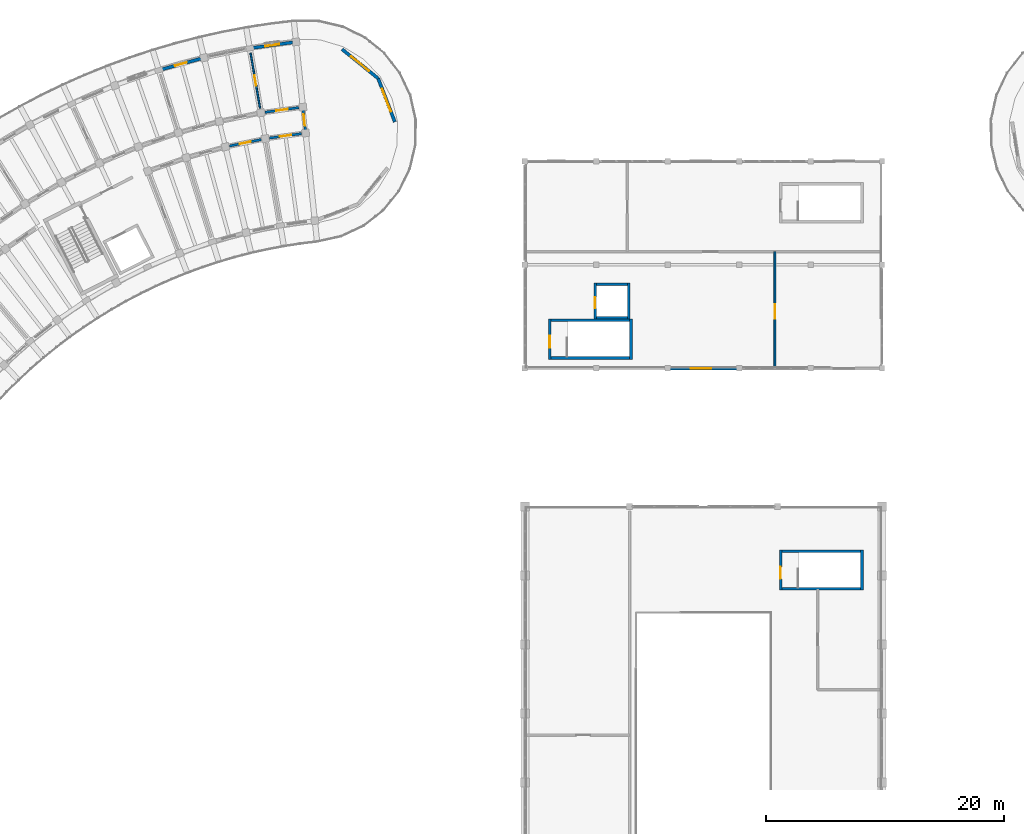
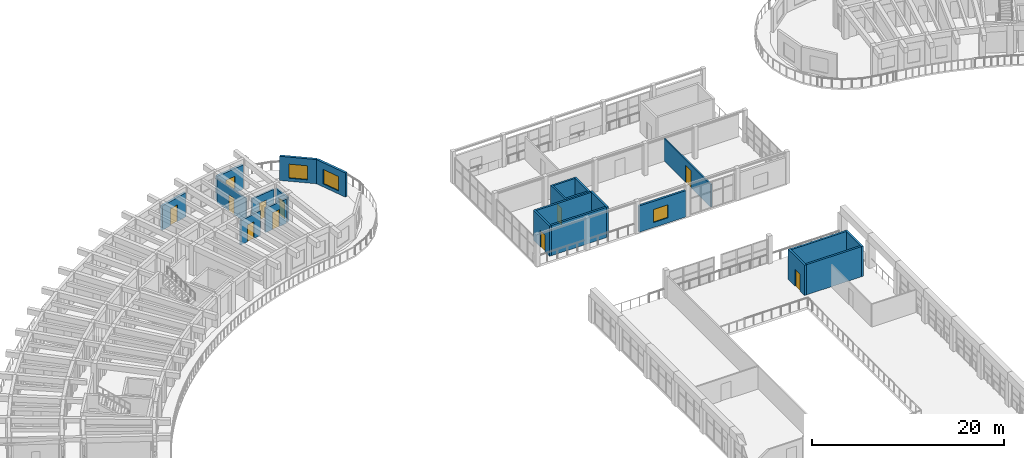
# One storey, part 91 of 128: 23 walls, 10 doors, 4 windows, 14 openings.
"""IFC4 building model written with IfcOpenShell, lengths in metres."""

from ifc_helpers import new_model, si_unit, direction, frame, frame_2d, origin, place, context, subcontext, project, spatial, rectangle, extrude, material, layer, layer_set, type_object, element, fill, save


model = new_model("IFC4")

# Units and contexts
model_context = context("Model", 3, precision=1e-05, world=origin(), true_north=direction((0.0, 1.0)))
body_context = subcontext(model_context, "Body", "Model", "MODEL_VIEW")
ifc_project = project(units=[si_unit("LENGTHUNIT", "METRE"), si_unit("AREAUNIT", "SQUARE_METRE"), si_unit("VOLUMEUNIT", "CUBIC_METRE"), si_unit("PLANEANGLEUNIT", "RADIAN"), si_unit("MASSUNIT", "GRAM", prefix="KILO")], contexts=[model_context])

# Site, building, storey
site_placement = place(None, origin())
site = spatial("IfcSite", under=ifc_project, at=site_placement, CompositionType="ELEMENT")
building_placement = place(site_placement, origin())
building = spatial("IfcBuilding", under=site, at=building_placement, Name="Tanwirah Colonnade Gardens", CompositionType="ELEMENT")
storey_placement = place(building_placement, frame((0.0, 0.0, 4.760009765625)))
storey = spatial("IfcBuildingStorey", under=building, at=storey_placement, Name="L01", CompositionType="ELEMENT", Elevation=4.760009765625)

# Wall, opening, window
ifc_material_1 = material(Name="Limestone architectural precast concrete C40/50", Category="masonry")
ifc_layer_1 = layer(ifc_material_1, 0.239990234375)
ifc_layer_set_1 = layer_set([ifc_layer_1], Name="Limestone architectural precast concrete C40/50")
wall_type_1 = type_object("IfcWallType", Name="EW-PC240", PredefinedType="SOLIDWALL", material=ifc_layer_set_1)
wall_1_placement = place(storey_placement, frame((90.195068359375, 92.0, 0.0), z_axis=(0.0, 0.0, 1.0), x_axis=(1.0, 0.0, 0.0)))
wall_1 = element("IfcWall", 1, at=wall_1_placement, inside=storey, type_object=wall_type_1, Name="Nursery L01 S Wall 2", PredefinedType="SOLIDWALL", context=body_context, shape_type="SweptSolid", body=[
    extrude(rectangle(XDim=5.60986328125, YDim=0.239990234375, at=frame_2d((2.804931640625, 0.0))), origin(), (0.0, 0.0, 1.0), 3.340087890625),
])
opening_1_placement = place(wall_1_placement, frame((1.75, 0.0, 0.64990234375)))
opening_1 = element("IfcOpeningElement", 2, at=opening_1_placement, cuts=wall_1, Name="Opening WIN-NUR2", PredefinedType="OPENING", context=body_context, shape_type="SweptSolid", body=[
    extrude(rectangle(XDim=1.719970703125, YDim=1.639892578125, at=frame_2d((0.85986328125, 0.81982421875))), frame((0.0, 0.1298828125, 0.0), z_axis=(0.0, -1.0, 0.0), x_axis=(1.0, 0.0, 0.0)), (0.0, 0.0, 1.0), 0.260009765625),
])
ifc_material_2 = material(Name="Thermally broken bronze aluminium and solar low-E double glazing", Category="aluminium")
window_type_1 = type_object("IfcWindowType", Name="WIN-NUR2", PartitioningType="DOUBLE_PANEL_VERTICAL", PredefinedType="WINDOW", material=ifc_material_2)
window_1_placement = place(opening_1_placement, origin())
window_1 = element("IfcWindow", 3, at=window_1_placement, inside=storey, type_object=window_type_1, Name="Nursery Window S-2", OverallHeight=1.639892578125, OverallWidth=1.719970703125, PartitioningType="SINGLE_PANEL", PredefinedType="WINDOW", context=body_context, shape_type="SweptSolid", body=[
    extrude(rectangle(XDim=1.719970703125, YDim=1.639892578125, at=frame_2d((0.85986328125, 0.81982421875))), frame((0.0, 0.030029296875, 0.0), z_axis=(0.0, -1.0, 0.0), x_axis=(1.0, 0.0, 0.0)), (0.0, 0.0, 1.0), 0.06005859375),
])
fill(opening_1, window_1)

ifc_layer_2 = layer(ifc_material_1, 0.27001953125)
ifc_layer_set_2 = layer_set([ifc_layer_2], Name="Limestone architectural precast concrete C40/50")
wall_type_2 = type_object("IfcWallType", Name="EW-PC270", PredefinedType="SOLIDWALL", material=ifc_layer_set_2)
wall_2_placement = place(storey_placement, frame((58.498046875, 119.38525390625, 0.0), z_axis=(0.0, 0.0, 1.0), x_axis=(-0.990539409892, -0.137228559169, 0.0)))
wall_2 = element("IfcWall", 4, at=wall_2_placement, inside=storey, type_object=wall_type_2, Name="Block A L01 OUT Precast Facade Wall 0", PredefinedType="SOLIDWALL", context=body_context, shape_type="SweptSolid", body=[
    extrude(rectangle(XDim=3.465576171875, YDim=0.27001953125, at=frame_2d((1.73291015625, 0.0))), origin(), (0.0, 0.0, 1.0), 3.074951171875),
])
opening_2_placement = place(wall_2_placement, frame((1.1328125, 0.0, 0.550048828125)))
opening_2 = element("IfcOpeningElement", 5, at=opening_2_placement, cuts=wall_2, Name="Opening WIN-T02", PredefinedType="OPENING", context=body_context, shape_type="SweptSolid", body=[
    extrude(rectangle(XDim=1.199951171875, YDim=1.550048828125, at=frame_2d((0.60009765625, 0.77490234375))), frame((0.0, 0.14501953125, 0.0), z_axis=(0.0, -1.0, 0.0), x_axis=(1.0, 0.0, 0.0)), (0.0, 0.0, 1.0), 0.2900390625),
])
window_type_2 = type_object("IfcWindowType", Name="WIN-T02", PartitioningType="SINGLE_PANEL", PredefinedType="WINDOW", material=ifc_material_2)
window_2_placement = place(opening_2_placement, origin())
window_2 = element("IfcWindow", 6, at=window_2_placement, inside=storey, type_object=window_type_2, Name="Facade window A-L01-OUT-00", OverallHeight=1.550048828125, OverallWidth=1.199951171875, PartitioningType="SINGLE_PANEL", PredefinedType="WINDOW", context=body_context, shape_type="SweptSolid", body=[
    extrude(rectangle(XDim=1.199951171875, YDim=1.550048828125, at=frame_2d((0.60009765625, 0.77490234375))), frame((0.0, 0.030029296875, 0.0), z_axis=(0.0, -1.0, 0.0), x_axis=(1.0, 0.0, 0.0)), (0.0, 0.0, 1.0), 0.06005859375),
])
fill(opening_2, window_2)

# Wall, opening, door
wall_3_placement = place(storey_placement, frame((50.772216796875, 118.0166015625, 0.0), z_axis=(0.0, 0.0, 1.0), x_axis=(-0.963895410198, -0.266281126255, 0.0)))
wall_3 = element("IfcWall", 7, at=wall_3_placement, inside=storey, type_object=wall_type_2, Name="Block A L01 OUT Precast Facade Wall 2", PredefinedType="SOLIDWALL", context=body_context, shape_type="SweptSolid", body=[
    extrude(rectangle(XDim=3.4658203125, YDim=0.27001953125, at=frame_2d((1.73291015625, 0.0))), origin(), (0.0, 0.0, 1.0), 3.074951171875),
])
opening_3_placement = place(wall_3_placement, frame((1.222900390625, 0.0, 0.0)))
opening_3 = element("IfcOpeningElement", 8, at=opening_3_placement, cuts=wall_3, Name="Opening L01-ED003", PredefinedType="OPENING", context=body_context, shape_type="SweptSolid", body=[
    extrude(rectangle(XDim=1.02001953125, YDim=2.139892578125, at=frame_2d((0.510009765625, 1.06982421875))), frame((0.0, 0.14501953125, 0.0), z_axis=(0.0, -1.0, 0.0), x_axis=(1.0, 0.0, 0.0)), (0.0, 0.0, 1.0), 0.2900390625),
])
ifc_material_3 = material(Name="Bronze aluminium glazed balcony door", Category="aluminium")
door_type_1 = type_object("IfcDoorType", Name="ED-BAL102", OperationType="NOTDEFINED", PredefinedType="DOOR", material=ifc_material_3)
door_1_placement = place(opening_3_placement, origin())
door_1 = element("IfcDoor", 9, at=door_1_placement, inside=storey, type_object=door_type_1, Name="Balcony glazed door L01-ED003", OperationType="SINGLE_SWING_RIGHT", OverallHeight=2.139892578125, OverallWidth=1.02001953125, PredefinedType="DOOR", context=body_context, shape_type="SweptSolid", body=[
    extrude(rectangle(XDim=1.02001953125, YDim=2.139892578125, at=frame_2d((0.510009765625, 1.06982421875))), frame((0.0, 0.02490234375, 0.0), z_axis=(0.0, -1.0, 0.0), x_axis=(1.0, 0.0, 0.0)), (0.0, 0.0, 1.0), 0.050048828125),
])
fill(opening_3, door_1)

# Wall, opening, window
wall_4_placement = place(storey_placement, frame((62.635498046875, 118.8125, 0.0), z_axis=(0.0, 0.0, 1.0), x_axis=(0.777137204109, -0.629331205321, 0.0)))
wall_4 = element("IfcWall", 10, at=wall_4_placement, inside=storey, type_object=wall_type_2, Name="Block A L01 START Rounded End Wall 1", PredefinedType="SOLIDWALL", context=body_context, shape_type="SweptSolid", body=[
    extrude(rectangle(XDim=3.907958984375, YDim=0.27001953125, at=frame_2d((1.9541015625, 0.0))), origin(), (0.0, 0.0, 1.0), 3.074951171875),
])
opening_4_placement = place(wall_4_placement, frame((0.97900390625, 0.0, 0.39990234375)))
opening_4 = element("IfcOpeningElement", 11, at=opening_4_placement, cuts=wall_4, Name="Opening WIN-END2", PredefinedType="OPENING", context=body_context, shape_type="SweptSolid", body=[
    extrude(rectangle(XDim=1.949951171875, YDim=1.780029296875, at=frame_2d((0.97509765625, 0.89013671875))), frame((0.0, 0.14501953125, 0.0), z_axis=(0.0, -1.0, 0.0), x_axis=(1.0, 0.0, 0.0)), (0.0, 0.0, 1.0), 0.2900390625),
])
window_type_3 = type_object("IfcWindowType", Name="WIN-END2", PartitioningType="TRIPLE_PANEL_VERTICAL", PredefinedType="WINDOW", material=ifc_material_2)
window_3_placement = place(opening_4_placement, origin())
window_3 = element("IfcWindow", 12, at=window_3_placement, inside=storey, type_object=window_type_3, Name="Rounded corner window A-L01-START-1", OverallHeight=1.780029296875, OverallWidth=1.949951171875, PartitioningType="SINGLE_PANEL", PredefinedType="WINDOW", context=body_context, shape_type="SweptSolid", body=[
    extrude(rectangle(XDim=1.949951171875, YDim=1.780029296875, at=frame_2d((0.97509765625, 0.89013671875))), frame((0.0, 0.030029296875, 0.0), z_axis=(0.0, -1.0, 0.0), x_axis=(1.0, 0.0, 0.0)), (0.0, 0.0, 1.0), 0.06005859375),
])
fill(opening_4, window_3)

wall_5_placement = place(storey_placement, frame((65.672607421875, 116.35302734375, 0.0), z_axis=(0.0, 0.0, 1.0), x_axis=(0.358376224971, -0.933577249817, 0.0)))
wall_5 = element("IfcWall", 13, at=wall_5_placement, inside=storey, type_object=wall_type_2, Name="Block A L01 START Rounded End Wall 2", PredefinedType="SOLIDWALL", context=body_context, shape_type="SweptSolid", body=[
    extrude(rectangle(XDim=3.908203125, YDim=0.27001953125, at=frame_2d((1.9541015625, 0.0))), origin(), (0.0, 0.0, 1.0), 3.074951171875),
])
opening_5_placement = place(wall_5_placement, frame((0.92919921875, 0.0, 0.39990234375)))
opening_5 = element("IfcOpeningElement", 14, at=opening_5_placement, cuts=wall_5, Name="Opening WIN-END3", PredefinedType="OPENING", context=body_context, shape_type="SweptSolid", body=[
    extrude(rectangle(XDim=2.050048828125, YDim=1.820068359375, at=frame_2d((1.02490234375, 0.91015625))), frame((0.0, 0.14501953125, 0.0), z_axis=(0.0, -1.0, 0.0), x_axis=(1.0, 0.0, 0.0)), (0.0, 0.0, 1.0), 0.2900390625),
])
window_type_4 = type_object("IfcWindowType", Name="WIN-END3", PartitioningType="TRIPLE_PANEL_VERTICAL", PredefinedType="WINDOW", material=ifc_material_2)
window_4_placement = place(opening_5_placement, origin())
window_4 = element("IfcWindow", 15, at=window_4_placement, inside=storey, type_object=window_type_4, Name="Rounded corner window A-L01-START-2", OverallHeight=1.820068359375, OverallWidth=2.050048828125, PartitioningType="SINGLE_PANEL", PredefinedType="WINDOW", context=body_context, shape_type="SweptSolid", body=[
    extrude(rectangle(XDim=2.050048828125, YDim=1.820068359375, at=frame_2d((1.02490234375, 0.91015625))), frame((0.0, 0.030029296875, 0.0), z_axis=(0.0, -1.0, 0.0), x_axis=(1.0, 0.0, 0.0)), (0.0, 0.0, 1.0), 0.06005859375),
])
fill(opening_5, window_4)

# Wall, opening, door
ifc_material_4 = material(Name="Precast concrete C40/50", Category="concrete")
ifc_layer_3 = layer(ifc_material_4, 0.205078125)
ifc_layer_set_3 = layer_set([ifc_layer_3], Name="Precast concrete C40/50")
wall_type_3 = type_object("IfcWallType", Name="IW-CORR205", PredefinedType="PARTITIONING", material=ifc_layer_set_3)
wall_6_placement = place(storey_placement, frame((59.003662109375, 113.90576171875, 0.0), z_axis=(0.0, 0.0, 1.0), x_axis=(-0.990544162976, -0.137194246211, 0.0)))
wall_6 = element("IfcWall", 16, at=wall_6_placement, inside=storey, type_object=wall_type_3, Name="Block A L01 OUT Corridor Wall 0", PredefinedType="PARTITIONING", context=body_context, shape_type="SweptSolid", body=[
    extrude(rectangle(XDim=2.86328125, YDim=0.205078125, at=frame_2d((1.431640625, 0.0))), origin(), (0.0, 0.0, 1.0), 3.090087890625),
])
opening_6_placement = place(wall_6_placement, frame((0.946533203125, 0.0, 0.0)))
opening_6 = element("IfcOpeningElement", 17, at=opening_6_placement, cuts=wall_6, Name="Opening L01-AD263", PredefinedType="OPENING", context=body_context, shape_type="SweptSolid", body=[
    extrude(rectangle(XDim=0.969970703125, YDim=2.14990234375, at=frame_2d((0.48486328125, 1.074951171875))), frame((0.0, 0.112548828125, 0.0), z_axis=(0.0, -1.0, 0.0), x_axis=(1.0, 0.0, 0.0)), (0.0, 0.0, 1.0), 0.22509765625),
])
ifc_material_5 = material(Name="Solid oak fire-resisting apartment entrance door")
door_type_2 = type_object("IfcDoorType", Name="ID-FLT097", OperationType="NOTDEFINED", PredefinedType="DOOR", material=ifc_material_5)
door_2_placement = place(opening_6_placement, origin())
door_2 = element("IfcDoor", 18, at=door_2_placement, inside=storey, type_object=door_type_2, Name="Apartment corridor door L01-AD263", OperationType="SINGLE_SWING_RIGHT", OverallHeight=2.14990234375, OverallWidth=0.969970703125, PredefinedType="DOOR", context=body_context, shape_type="SweptSolid", body=[
    extrude(rectangle(XDim=0.969970703125, YDim=2.14990234375, at=frame_2d((0.48486328125, 1.074951171875))), frame((0.0, 0.02490234375, 0.0), z_axis=(0.0, -1.0, 0.0), x_axis=(1.0, 0.0, 0.0)), (0.0, 0.0, 1.0), 0.050048828125),
])
fill(opening_6, door_2)

wall_7_placement = place(storey_placement, frame((59.2333984375, 111.718017578125, 0.0), z_axis=(0.0, 0.0, 1.0), x_axis=(-0.990535404475, -0.137257467855, 0.0)))
wall_7 = element("IfcWall", 19, at=wall_7_placement, inside=storey, type_object=wall_type_3, Name="Block A L01 IN Corridor Wall 0", PredefinedType="PARTITIONING", context=body_context, shape_type="SweptSolid", body=[
    extrude(rectangle(XDim=2.7177734375, YDim=0.205078125, at=frame_2d((1.35888671875, 0.0))), origin(), (0.0, 0.0, 1.0), 3.090087890625),
])
opening_7_placement = place(wall_7_placement, frame((0.8740234375, 0.0, 0.0)))
opening_7 = element("IfcOpeningElement", 20, at=opening_7_placement, cuts=wall_7, Name="Opening L01-AD264", PredefinedType="OPENING", context=body_context, shape_type="SweptSolid", body=[
    extrude(rectangle(XDim=0.969970703125, YDim=2.14990234375, at=frame_2d((0.48486328125, 1.074951171875))), frame((0.0, 0.112548828125, 0.0), z_axis=(0.0, -1.0, 0.0), x_axis=(1.0, 0.0, 0.0)), (0.0, 0.0, 1.0), 0.22509765625),
])
door_3_placement = place(opening_7_placement, origin())
door_3 = element("IfcDoor", 21, at=door_3_placement, inside=storey, type_object=door_type_2, Name="Apartment corridor door L01-AD264", OperationType="SINGLE_SWING_LEFT", OverallHeight=2.14990234375, OverallWidth=0.969970703125, PredefinedType="DOOR", context=body_context, shape_type="SweptSolid", body=[
    extrude(rectangle(XDim=0.969970703125, YDim=2.14990234375, at=frame_2d((0.48486328125, 1.074951171875))), frame((0.0, 0.02490234375, 0.0), z_axis=(0.0, -1.0, 0.0), x_axis=(1.0, 0.0, 0.0)), (0.0, 0.0, 1.0), 0.050048828125),
])
fill(opening_7, door_3)

wall_8_placement = place(storey_placement, frame((55.851806640625, 111.22607421875, 0.0), z_axis=(0.0, 0.0, 1.0), x_axis=(-0.979349423541, -0.202174940608, 0.0)))
wall_8 = element("IfcWall", 22, at=wall_8_placement, inside=storey, type_object=wall_type_3, Name="Block A L01 IN Corridor Wall 1", PredefinedType="PARTITIONING", context=body_context, shape_type="SweptSolid", body=[
    extrude(rectangle(XDim=2.71826171875, YDim=0.205078125, at=frame_2d((1.359130859375, 0.0))), origin(), (0.0, 0.0, 1.0), 3.090087890625),
])
opening_8_placement = place(wall_8_placement, frame((0.884033203125, 0.0, 0.0)))
opening_8 = element("IfcOpeningElement", 23, at=opening_8_placement, cuts=wall_8, Name="Opening L01-AD267", PredefinedType="OPENING", context=body_context, shape_type="SweptSolid", body=[
    extrude(rectangle(XDim=0.949951171875, YDim=2.1298828125, at=frame_2d((0.47509765625, 1.06494140625))), frame((0.0, 0.112548828125, 0.0), z_axis=(0.0, -1.0, 0.0), x_axis=(1.0, 0.0, 0.0)), (0.0, 0.0, 1.0), 0.22509765625),
])
door_type_3 = type_object("IfcDoorType", Name="ID-FLT095", OperationType="NOTDEFINED", PredefinedType="DOOR", material=ifc_material_5)
door_4_placement = place(opening_8_placement, origin())
door_4 = element("IfcDoor", 24, at=door_4_placement, inside=storey, type_object=door_type_3, Name="Apartment corridor door L01-AD267", OperationType="SINGLE_SWING_RIGHT", OverallHeight=2.1298828125, OverallWidth=0.949951171875, PredefinedType="DOOR", context=body_context, shape_type="SweptSolid", body=[
    extrude(rectangle(XDim=0.949951171875, YDim=2.1298828125, at=frame_2d((0.47509765625, 1.06494140625))), frame((0.0, 0.02490234375, 0.0), z_axis=(0.0, -1.0, 0.0), x_axis=(1.0, 0.0, 0.0)), (0.0, 0.0, 1.0), 0.050048828125),
])
fill(opening_8, door_4)

wall_9_placement = place(storey_placement, frame((59.574951171875, 111.815673828125, 0.0), z_axis=(0.0, 0.0, 1.0), x_axis=(-0.104509292252, 0.994523910136, 0.0)))
wall_9 = element("IfcWall", 25, at=wall_9_placement, inside=storey, type_object=wall_type_3, Name="Block A L01 CS Corner Suite Corridor Wall", PredefinedType="PARTITIONING", context=body_context, shape_type="SweptSolid", body=[
    extrude(rectangle(XDim=2.10009765625, YDim=0.205078125, at=frame_2d((1.050048828125, 0.0))), origin(), (0.0, 0.0, 1.0), 3.090087890625),
])
opening_9_placement = place(wall_9_placement, frame((0.570068359375, 0.0, 0.0)))
opening_9 = element("IfcOpeningElement", 26, at=opening_9_placement, cuts=wall_9, Name="Opening L01-CD303", PredefinedType="OPENING", context=body_context, shape_type="SweptSolid", body=[
    extrude(rectangle(XDim=0.949951171875, YDim=2.1298828125, at=frame_2d((0.47509765625, 1.06494140625))), frame((0.0, 0.112548828125, 0.0), z_axis=(0.0, -1.0, 0.0), x_axis=(1.0, 0.0, 0.0)), (0.0, 0.0, 1.0), 0.22509765625),
])
door_5_placement = place(opening_9_placement, origin())
door_5 = element("IfcDoor", 27, at=door_5_placement, inside=storey, type_object=door_type_3, Name="Corner suite entrance door L01-CD303", OperationType="SINGLE_SWING_LEFT", OverallHeight=2.1298828125, OverallWidth=0.949951171875, PredefinedType="DOOR", context=body_context, shape_type="SweptSolid", body=[
    extrude(rectangle(XDim=0.949951171875, YDim=2.1298828125, at=frame_2d((0.47509765625, 1.06494140625))), frame((0.0, 0.02490234375, 0.0), z_axis=(0.0, -1.0, 0.0), x_axis=(1.0, 0.0, 0.0)), (0.0, 0.0, 1.0), 0.050048828125),
])
fill(opening_9, door_5)

ifc_material_6 = material(Name="Fire-rated acoustic blockwork partition", Category="masonry")
ifc_layer_4 = layer(ifc_material_6, 0.159912109375)
ifc_layer_set_4 = layer_set([ifc_layer_4], Name="Fire-rated acoustic blockwork partition")
wall_type_4 = type_object("IfcWallType", Name="IW-PAV160", PredefinedType="PARTITIONING", material=ifc_layer_set_4)
wall_10_placement = place(storey_placement, frame((99.0, 92.1201171875, 0.0), z_axis=(0.0, 0.0, 1.0), x_axis=(0.0, 1.0, 0.0)))
wall_10 = element("IfcWall", 28, at=wall_10_placement, inside=storey, type_object=wall_type_4, Name="Interior Partition IW-NUR-CL2", PredefinedType="PARTITIONING", context=body_context, shape_type="SweptSolid", body=[
    extrude(rectangle(XDim=9.679931640625, YDim=0.159912109375, at=frame_2d((4.83984375, 0.0))), origin(), (0.0, 0.0, 1.0), 2.860107421875),
])
opening_10_placement = place(wall_10_placement, frame((4.04638671875, 0.0, 0.0)))
opening_10 = element("IfcOpeningElement", 29, at=opening_10_placement, cuts=wall_10, Name="Opening L01-VD1965", PredefinedType="OPENING", context=body_context, shape_type="SweptSolid", body=[
    extrude(rectangle(XDim=1.199951171875, YDim=2.14990234375, at=frame_2d((0.60009765625, 1.074951171875))), frame((0.0, 0.08984375, 0.0), z_axis=(0.0, -1.0, 0.0), x_axis=(1.0, 0.0, 0.0)), (0.0, 0.0, 1.0), 0.179931640625),
])
ifc_material_7 = material(Name="Acoustic classroom vision-panel door")
door_type_4 = type_object("IfcDoorType", Name="ID-NUR12", OperationType="NOTDEFINED", PredefinedType="DOOR", material=ifc_material_7)
door_6_placement = place(opening_10_placement, origin())
door_6 = element("IfcDoor", 30, at=door_6_placement, inside=storey, type_object=door_type_4, Name="Civic interior door L01-VD1965", OperationType="SINGLE_SWING_LEFT", OverallHeight=2.14990234375, OverallWidth=1.199951171875, PredefinedType="DOOR", context=body_context, shape_type="SweptSolid", body=[
    extrude(rectangle(XDim=1.199951171875, YDim=2.14990234375, at=frame_2d((0.60009765625, 1.074951171875))), frame((0.0, 0.02490234375, 0.0), z_axis=(0.0, -1.0, 0.0), x_axis=(1.0, 0.0, 0.0)), (0.0, 0.0, 1.0), 0.050048828125),
])
fill(opening_10, door_6)

ifc_material_8 = material(Name="Water-resistant acoustic plumbing partition")
ifc_layer_5 = layer(ifc_material_8, 0.139892578125)
ifc_layer_set_5 = layer_set([ifc_layer_5], Name="Water-resistant acoustic plumbing partition")
wall_type_5 = type_object("IfcWallType", Name="IW-WET140", PredefinedType="PLUMBINGWALL", material=ifc_layer_set_5)
wall_11_placement = place(storey_placement, frame((55.7529296875, 113.859130859375, 0.0), z_axis=(0.0, 0.0, 1.0), x_axis=(-0.169812980219, 0.985476307046, 0.0)))
wall_11 = element("IfcWall", 31, at=wall_11_placement, inside=storey, type_object=wall_type_5, Name="Block A L01 Radial Partition 0", PredefinedType="PLUMBINGWALL", context=body_context, shape_type="SweptSolid", body=[
    extrude(rectangle(XDim=4.699951171875, YDim=0.139892578125, at=frame_2d((2.35009765625, 0.0))), origin(), (0.0, 0.0, 1.0), 3.090087890625),
])
opening_11_placement = place(wall_11_placement, frame((1.919921875, 0.0, 0.0)))
opening_11 = element("IfcOpeningElement", 32, at=opening_11_placement, cuts=wall_11, Name="Opening L01-RD265", PredefinedType="OPENING", context=body_context, shape_type="SweptSolid", body=[
    extrude(rectangle(XDim=0.860107421875, YDim=2.06005859375, at=frame_2d((0.43017578125, 1.030029296875))), frame((0.0, 0.079833984375, 0.0), z_axis=(0.0, -1.0, 0.0), x_axis=(1.0, 0.0, 0.0)), (0.0, 0.0, 1.0), 0.159912109375),
])
ifc_material_9 = material(Name="Moisture-resistant bathroom door")
door_type_5 = type_object("IfcDoorType", Name="ID-WET086", OperationType="NOTDEFINED", PredefinedType="DOOR", material=ifc_material_9)
door_7_placement = place(opening_11_placement, origin())
door_7 = element("IfcDoor", 33, at=door_7_placement, inside=storey, type_object=door_type_5, Name="Internal apartment door L01-RD265", OperationType="SINGLE_SWING_RIGHT", OverallHeight=2.06005859375, OverallWidth=0.860107421875, PredefinedType="DOOR", context=body_context, shape_type="SweptSolid", body=[
    extrude(rectangle(XDim=0.860107421875, YDim=2.06005859375, at=frame_2d((0.43017578125, 1.030029296875))), frame((0.0, 0.02490234375, 0.0), z_axis=(0.0, -1.0, 0.0), x_axis=(1.0, 0.0, 0.0)), (0.0, 0.0, 1.0), 0.050048828125),
])
fill(opening_11, door_7)

# Walls
ifc_material_10 = material(Name="Concrete C45/55", Category="concrete")
ifc_layer_6 = layer(ifc_material_10, 0.235107421875)
ifc_layer_set_6 = layer_set([ifc_layer_6], Name="Concrete C45/55")
wall_type_6 = type_object("IfcWallType", Name="SW-CORE235", PredefinedType="SHEAR", material=ifc_layer_set_6)
wall_12_placement = place(storey_placement, frame((99.60009765625, 73.482421875, 0.0), z_axis=(0.0, 0.0, 1.0), x_axis=(1.0, 0.0, 0.0)))
element("IfcWall", 34, at=wall_12_placement, inside=storey, type_object=wall_type_6, Name="CORE-H2 L01 Stair Shaft Shear Wall LEFT", PredefinedType="SHEAR", context=body_context, shape_type="SweptSolid", body=[
    extrude(rectangle(XDim=6.599853515625, YDim=0.235107421875, at=frame_2d((3.2998046875, 0.0))), origin(), (0.0, 0.0, 1.0), 3.830078125),
])
wall_13_placement = place(storey_placement, frame((106.3173828125, 73.364990234375, 0.0), z_axis=(0.0, 0.0, 1.0), x_axis=(0.0, 1.0, 0.0)))
element("IfcWall", 35, at=wall_13_placement, inside=storey, type_object=wall_type_6, Name="CORE-H2 L01 Stair Shaft Shear Wall FAR", PredefinedType="SHEAR", context=body_context, shape_type="SweptSolid", body=[
    extrude(rectangle(XDim=3.389892578125, YDim=0.235107421875, at=frame_2d((1.69482421875, 0.0))), origin(), (0.0, 0.0, 1.0), 3.830078125),
])

# Wall, opening, door
wall_14_placement = place(storey_placement, frame((99.482421875, 73.364990234375, 0.0), z_axis=(0.0, 0.0, 1.0), x_axis=(0.0, 1.0, 0.0)))
wall_14 = element("IfcWall", 36, at=wall_14_placement, inside=storey, type_object=wall_type_6, Name="CORE-H2 L01 Stair Shaft Shear Wall NEAR", PredefinedType="SHEAR", context=body_context, shape_type="SweptSolid", body=[
    extrude(rectangle(XDim=3.389892578125, YDim=0.235107421875, at=frame_2d((1.69482421875, 0.0))), origin(), (0.0, 0.0, 1.0), 3.830078125),
])
opening_12_placement = place(wall_14_placement, frame((0.949951171875, 0.0, 0.0)))
opening_12 = element("IfcOpeningElement", 37, at=opening_12_placement, cuts=wall_14, Name="Opening L01-SD212", PredefinedType="OPENING", context=body_context, shape_type="SweptSolid", body=[
    extrude(rectangle(XDim=1.02001953125, YDim=2.139892578125, at=frame_2d((0.510009765625, 1.06982421875))), frame((0.0, 0.12744140625, 0.0), z_axis=(0.0, -1.0, 0.0), x_axis=(1.0, 0.0, 0.0)), (0.0, 0.0, 1.0), 0.255126953125),
])
ifc_material_11 = material(Name="Steel fire-resisting stair enclosure door", Category="steel")
door_type_6 = type_object("IfcDoorType", Name="ID-ST102", OperationType="NOTDEFINED", PredefinedType="DOOR", material=ifc_material_11)
door_8_placement = place(opening_12_placement, origin())
door_8 = element("IfcDoor", 38, at=door_8_placement, inside=storey, type_object=door_type_6, Name="CORE-H2 L01 Stair Fire Door L01-SD212", OperationType="SINGLE_SWING_LEFT", OverallHeight=2.139892578125, OverallWidth=1.02001953125, PredefinedType="DOOR", context=body_context, shape_type="SweptSolid", body=[
    extrude(rectangle(XDim=1.02001953125, YDim=2.139892578125, at=frame_2d((0.510009765625, 1.06982421875))), frame((0.0, 0.02490234375, 0.0), z_axis=(0.0, -1.0, 0.0), x_axis=(1.0, 0.0, 0.0)), (0.0, 0.0, 1.0), 0.050048828125),
])
fill(opening_12, door_8)

# Walls
wall_15_placement = place(storey_placement, frame((99.60009765625, 76.637451171875, 0.0), z_axis=(0.0, 0.0, 1.0), x_axis=(1.0, 0.0, 0.0)))
element("IfcWall", 39, at=wall_15_placement, inside=storey, type_object=wall_type_6, Name="CORE-H2 L01 Stair Shaft Shear Wall RIGHT", PredefinedType="SHEAR", context=body_context, shape_type="SweptSolid", body=[
    extrude(rectangle(XDim=6.599853515625, YDim=0.235107421875, at=frame_2d((3.2998046875, 0.0))), origin(), (0.0, 0.0, 1.0), 3.830078125),
])
wall_16_placement = place(storey_placement, frame((80.199951171875, 92.882568359375, 0.0), z_axis=(0.0, 0.0, 1.0), x_axis=(1.0, 0.0, 0.0)))
element("IfcWall", 40, at=wall_16_placement, inside=storey, type_object=wall_type_6, Name="CORE-N1 L01 Stair Shaft Shear Wall LEFT", PredefinedType="SHEAR", context=body_context, shape_type="SweptSolid", body=[
    extrude(rectangle(XDim=6.60009765625, YDim=0.235107421875, at=frame_2d((3.300048828125, 0.0))), origin(), (0.0, 0.0, 1.0), 3.830078125),
])
wall_17_placement = place(storey_placement, frame((86.91748046875, 92.764892578125, 0.0), z_axis=(0.0, 0.0, 1.0), x_axis=(0.0, 1.0, 0.0)))
element("IfcWall", 41, at=wall_17_placement, inside=storey, type_object=wall_type_6, Name="CORE-N1 L01 Stair Shaft Shear Wall FAR", PredefinedType="SHEAR", context=body_context, shape_type="SweptSolid", body=[
    extrude(rectangle(XDim=3.39013671875, YDim=0.235107421875, at=frame_2d((1.695068359375, 0.0))), origin(), (0.0, 0.0, 1.0), 3.830078125),
])

# Wall, opening, door
wall_18_placement = place(storey_placement, frame((80.08251953125, 92.764892578125, 0.0), z_axis=(0.0, 0.0, 1.0), x_axis=(0.0, 1.0, 0.0)))
wall_18 = element("IfcWall", 42, at=wall_18_placement, inside=storey, type_object=wall_type_6, Name="CORE-N1 L01 Stair Shaft Shear Wall NEAR", PredefinedType="SHEAR", context=body_context, shape_type="SweptSolid", body=[
    extrude(rectangle(XDim=3.39013671875, YDim=0.235107421875, at=frame_2d((1.695068359375, 0.0))), origin(), (0.0, 0.0, 1.0), 3.830078125),
])
opening_13_placement = place(wall_18_placement, frame((0.949951171875, 0.0, 0.0)))
opening_13 = element("IfcOpeningElement", 43, at=opening_13_placement, cuts=wall_18, Name="Opening L01-SD214", PredefinedType="OPENING", context=body_context, shape_type="SweptSolid", body=[
    extrude(rectangle(XDim=1.02001953125, YDim=2.139892578125, at=frame_2d((0.510009765625, 1.06982421875))), frame((0.0, 0.12744140625, 0.0), z_axis=(0.0, -1.0, 0.0), x_axis=(1.0, 0.0, 0.0)), (0.0, 0.0, 1.0), 0.255126953125),
])
door_9_placement = place(opening_13_placement, origin())
door_9 = element("IfcDoor", 44, at=door_9_placement, inside=storey, type_object=door_type_6, Name="CORE-N1 L01 Stair Fire Door L01-SD214", OperationType="SINGLE_SWING_LEFT", OverallHeight=2.139892578125, OverallWidth=1.02001953125, PredefinedType="DOOR", context=body_context, shape_type="SweptSolid", body=[
    extrude(rectangle(XDim=1.02001953125, YDim=2.139892578125, at=frame_2d((0.510009765625, 1.06982421875))), frame((0.0, 0.02490234375, 0.0), z_axis=(0.0, -1.0, 0.0), x_axis=(1.0, 0.0, 0.0)), (0.0, 0.0, 1.0), 0.050048828125),
])
fill(opening_13, door_9)

# Wall
wall_19_placement = place(storey_placement, frame((80.199951171875, 96.03759765625, 0.0), z_axis=(0.0, 0.0, 1.0), x_axis=(1.0, 0.0, 0.0)))
element("IfcWall", 45, at=wall_19_placement, inside=storey, type_object=wall_type_6, Name="CORE-N1 L01 Stair Shaft Shear Wall RIGHT", PredefinedType="SHEAR", context=body_context, shape_type="SweptSolid", body=[
    extrude(rectangle(XDim=6.60009765625, YDim=0.235107421875, at=frame_2d((3.300048828125, 0.0))), origin(), (0.0, 0.0, 1.0), 3.830078125),
])

# Wall, opening, door
ifc_layer_7 = layer(ifc_material_10, 0.215087890625)
ifc_layer_set_7 = layer_set([ifc_layer_7], Name="Concrete C45/55")
wall_type_7 = type_object("IfcWallType", Name="SW-LIFT215", PredefinedType="SHEAR", material=ifc_layer_set_7)
wall_20_placement = place(storey_placement, frame((83.892578125, 96.135009765625, 0.0), z_axis=(0.0, 0.0, 1.0), x_axis=(0.0, 1.0, 0.0)))
wall_20 = element("IfcWall", 46, at=wall_20_placement, inside=storey, type_object=wall_type_7, Name="CORE-N1 L01 Lift Shaft Wall FRONT", PredefinedType="SHEAR", context=body_context, shape_type="SweptSolid", body=[
    extrude(rectangle(XDim=3.030029296875, YDim=0.215087890625, at=frame_2d((1.51513671875, 0.0))), origin(), (0.0, 0.0, 1.0), 3.830078125),
])
opening_14_placement = place(wall_20_placement, frame((0.89990234375, 0.0, 0.0)))
opening_14 = element("IfcOpeningElement", 47, at=opening_14_placement, cuts=wall_20, Name="Opening L01-LD-PL-N1", PredefinedType="OPENING", context=body_context, shape_type="SweptSolid", body=[
    extrude(rectangle(XDim=0.949951171875, YDim=2.14990234375, at=frame_2d((0.47509765625, 1.074951171875))), frame((0.0, 0.117431640625, 0.0), z_axis=(0.0, -1.0, 0.0), x_axis=(1.0, 0.0, 0.0)), (0.0, 0.0, 1.0), 0.235107421875),
])
ifc_material_12 = material(Name="Stainless steel sliding pavilion lift landing door", Category="steel")
door_type_7 = type_object("IfcDoorType", Name="LD-PV095", OperationType="DOUBLE_DOOR_SLIDING", PredefinedType="DOOR", material=ifc_material_12)
door_10_placement = place(opening_14_placement, origin())
door_10 = element("IfcDoor", 48, at=door_10_placement, inside=storey, type_object=door_type_7, Name="Lift PL-N1 L01 Sliding Landing Door", OperationType="DOUBLE_DOOR_SLIDING", OverallHeight=2.14990234375, OverallWidth=0.949951171875, PredefinedType="DOOR", context=body_context, shape_type="SweptSolid", body=[
    extrude(rectangle(XDim=0.949951171875, YDim=2.14990234375, at=frame_2d((0.47509765625, 1.074951171875))), frame((0.0, 0.02490234375, 0.0), z_axis=(0.0, -1.0, 0.0), x_axis=(1.0, 0.0, 0.0)), (0.0, 0.0, 1.0), 0.050048828125),
])
fill(opening_14, door_10)

# Walls
wall_21_placement = place(storey_placement, frame((86.70751953125, 96.135009765625, 0.0), z_axis=(0.0, 0.0, 1.0), x_axis=(0.0, 1.0, 0.0)))
element("IfcWall", 49, at=wall_21_placement, inside=storey, type_object=wall_type_7, Name="CORE-N1 L01 Lift Shaft Wall BACK", PredefinedType="SHEAR", context=body_context, shape_type="SweptSolid", body=[
    extrude(rectangle(XDim=3.030029296875, YDim=0.215087890625, at=frame_2d((1.51513671875, 0.0))), origin(), (0.0, 0.0, 1.0), 3.830078125),
])
for number, where, z_axis, x_axis, name in (
    (50, (84.0, 96.242431640625, 0.0), (0.0, 0.0, 1.0), (1.0, 0.0, 0.0), "CORE-N1 L01 Lift Shaft Wall SIDEA"),
    (51, (84.0, 99.0576171875, 0.0), (0.0, 0.0, 1.0), (1.0, 0.0, 0.0), "CORE-N1 L01 Lift Shaft Wall SIDEB"),
):
    element("IfcWall", number, at=place(storey_placement, frame(where, z_axis=z_axis, x_axis=x_axis)), inside=storey, type_object=wall_type_7, Name=name, PredefinedType="SHEAR", context=body_context, shape_type="SweptSolid", body=[
        extrude(rectangle(XDim=2.60009765625, YDim=0.215087890625, at=frame_2d((1.300048828125, 0.0))), origin(), (0.0, 0.0, 1.0), 3.830078125),
    ])

save(model, "model.ifc")
